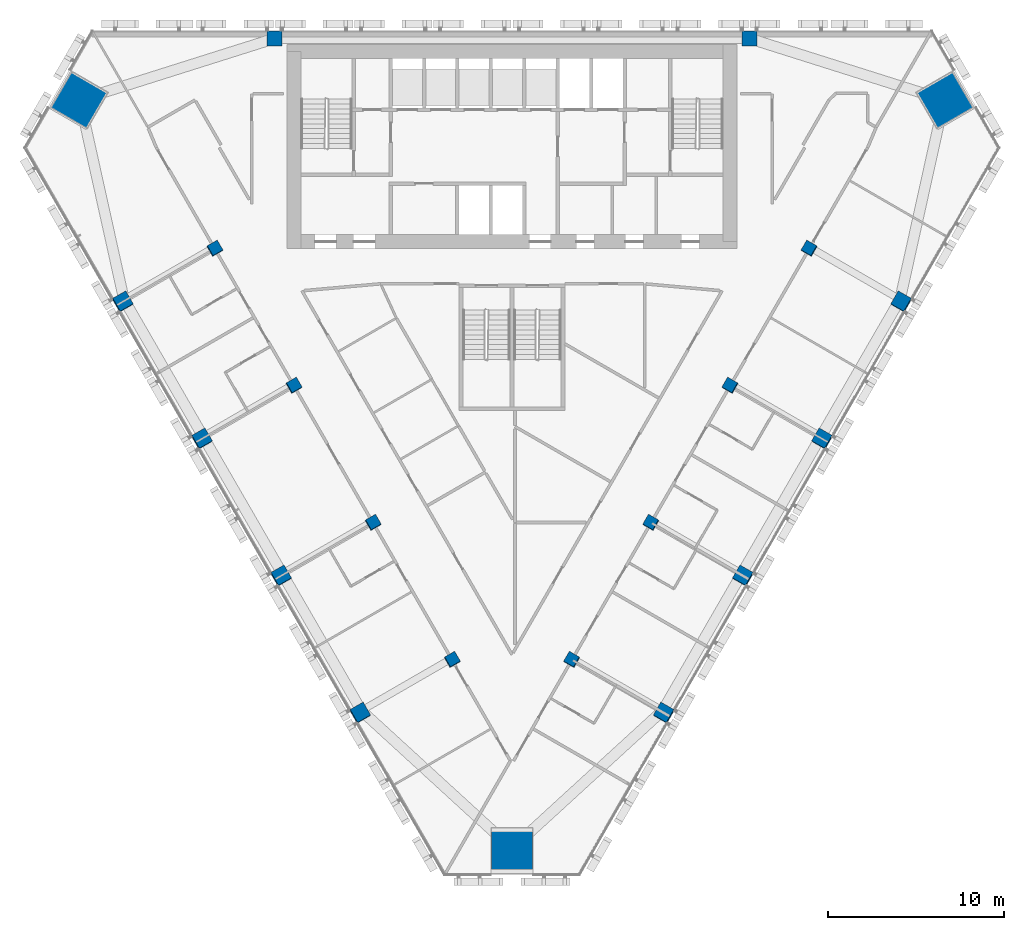
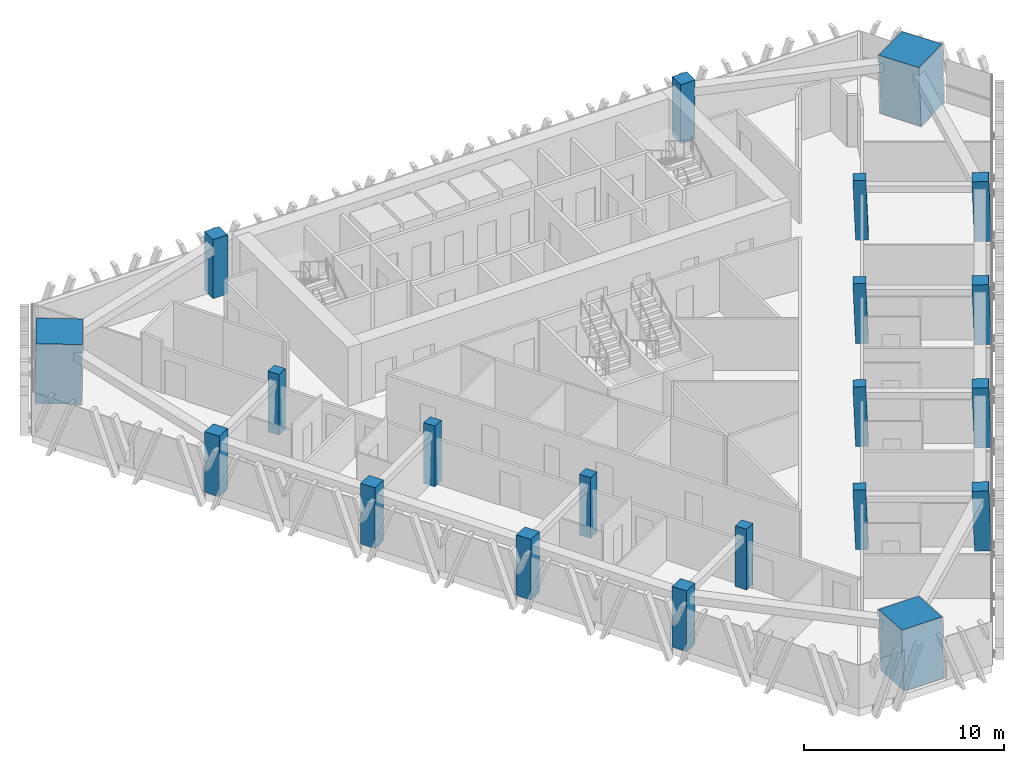
# One storey, part 1 of 16: 21 columns.
"""IFC4 building model written with IfcOpenShell, lengths in metres."""

from ifc_helpers import new_model, si_unit, direction, frame, origin, origin_2d, place, context, subcontext, project, spatial, rectangle, extrude, material, material_profile, profile_set, type_object, element, save


model = new_model("IFC4")

# Units and contexts
model_context = context("Model", 3, precision=1e-05, world=origin(), true_north=direction((0.0, 1.0)))
body_context = subcontext(model_context, "Body", "Model", "MODEL_VIEW")
ifc_project = project(units=[si_unit("LENGTHUNIT", "METRE"), si_unit("AREAUNIT", "SQUARE_METRE"), si_unit("VOLUMEUNIT", "CUBIC_METRE"), si_unit("PLANEANGLEUNIT", "RADIAN"), si_unit("MASSUNIT", "GRAM", prefix="KILO")], contexts=[model_context])

# Site, building, storey
site_placement = place(None, origin())
site = spatial("IfcSite", under=ifc_project, at=site_placement, CompositionType="ELEMENT")
building_placement = place(site_placement, origin())
building = spatial("IfcBuilding", under=site, at=building_placement, Name="Altiplano Prism Tower", CompositionType="ELEMENT")
storey_placement = place(building_placement, frame((0.0, 0.0, 135.0)))
storey = spatial("IfcBuildingStorey", under=building, at=storey_placement, Name="L34", CompositionType="ELEMENT", Elevation=135.0)

# Columns
ifc_material_1 = material(Name="Concrete C60/75", Category="concrete")
ifc_material_profile_1 = material_profile(ifc_material_1, rectangle(XDim=0.64990234375, YDim=0.64990234375, at=origin_2d()), Name="Inner column 650")
ifc_profile_set_1 = profile_set([ifc_material_profile_1], Name="Concrete C60/75")
column_type_1 = type_object("IfcColumnType", Name="Inner column 650", PredefinedType="COLUMN", material=ifc_profile_set_1)
for number, where, z_axis, x_axis, name in (
    (1, (68.091796875, 92.596923828125, -0.019775390625), (0.02222134892, 0.038480872521, 0.999012229206), (-0.865640972658, -0.499184117772, 0.038482762642), "Inner column I11 L34"),
    (2, (72.591796875, 84.802734375, -0.019775390625), (0.02222134892, 0.038480872521, 0.999012229206), (-0.865639410047, -0.499186822153, 0.038482832055), "Inner column I12 L34"),
    (3, (77.091796875, 77.008544921875, -0.019775390625), (0.022221406801, 0.038413224561, 0.999014831351), (-0.866021380218, -0.498527772566, 0.0384321348), "Inner column I13 L34"),
    (4, (81.591796875, 69.21435546875, -0.019775390625), (0.022221406801, 0.038413224561, 0.999014831351), (-0.866019828384, -0.498530463023, 0.038432203733), "Inner column I14 L34"),
    (5, (88.408203125, 69.21435546875, -0.019775390625), (-0.022221406801, 0.038413224561, 0.999014831351), (-0.499515631313, -0.866020670433, 0.022188565921), "Inner column I21 L34"),
    (6, (92.908203125, 77.008544921875, -0.019775390625), (-0.022221406801, 0.038413224561, 0.999014831351), (-0.499512940858, -0.866022219206, 0.022188685317), "Inner column I22 L34"),
    (7, (97.408203125, 84.802734375, -0.019775390625), (-0.02222134892, 0.038480872521, 0.999012229206), (-0.500174592943, -0.865639497158, 0.022217955235), "Inner column I23 L34"),
    (8, (101.908203125, 92.596923828125, -0.019775390625), (-0.02222134892, 0.038480872521, 0.999012229206), (-0.500171888563, -0.865641056683, 0.022218075461), "Inner column I24 L34"),
):
    element("IfcColumn", number, at=place(storey_placement, frame(where, z_axis=z_axis, x_axis=x_axis)), inside=storey, type_object=column_type_1, Name=name, PredefinedType="COLUMN", context=body_context, shape_type="SweptSolid", body=[
        extrude(rectangle(XDim=0.64990234375, YDim=0.64990234375, at=origin_2d()), origin(), (0.0, 0.0, 1.0), 3.603759765625),
    ])
ifc_material_2 = material(Name="Concrete C70/85", Category="concrete")
ifc_material_profile_2 = material_profile(ifc_material_2, rectangle(XDim=2.320068359375, YDim=2.320068359375, at=origin_2d()), Name="Mega column infill 2400")
ifc_profile_set_2 = profile_set([ifc_material_profile_2], Name="Concrete C70/85")
column_type_2 = type_object("IfcColumnType", Name="Mega column infill 2400", PredefinedType="COLUMN", material=ifc_profile_set_2)
column_1_placement = place(storey_placement, frame((60.3203125, 101.019775390625, 0.0), z_axis=(0.028401814599, 0.009218727412, 0.999554076572), x_axis=(-0.865127429794, 0.501154791875, 0.019960080116)))
element("IfcColumn", 9, at=column_1_placement, inside=storey, type_object=column_type_2, Name="Mega column M0 L34", PredefinedType="COLUMN", context=body_context, shape_type="SweptSolid", body=[
    extrude(rectangle(XDim=2.320068359375, YDim=2.320068359375, at=origin_2d()), origin(), (0.0, 0.0, 1.0), 3.601806640625),
])
column_2_placement = place(storey_placement, frame((85.0, 58.273193359375, 0.0), z_axis=(0.0, 0.058356907999, 0.998295783467), x_axis=(-1.0, 0.0, 0.0)))
element("IfcColumn", 10, at=column_2_placement, inside=storey, type_object=column_type_2, Name="Mega column M1 L34", PredefinedType="COLUMN", context=body_context, shape_type="SweptSolid", body=[
    extrude(rectangle(XDim=2.320068359375, YDim=2.320068359375, at=origin_2d()), origin(), (0.0, 0.0, 1.0), 3.606201171875),
])
column_3_placement = place(storey_placement, frame((109.6796875, 101.019775390625, 0.0), z_axis=(-0.028401814599, 0.009218727412, 0.999554076572), x_axis=(0.500749800061, -0.865307108475, 0.022209136917)))
element("IfcColumn", 11, at=column_3_placement, inside=storey, type_object=column_type_2, Name="Mega column M2 L34", PredefinedType="COLUMN", context=body_context, shape_type="SweptSolid", body=[
    extrude(rectangle(XDim=2.320068359375, YDim=2.320068359375, at=origin_2d()), origin(), (0.0, 0.0, 1.0), 3.601806640625),
])
ifc_material_profile_3 = material_profile(ifc_material_1, rectangle(XDim=0.85009765625, YDim=0.85009765625, at=origin_2d()), Name="Perimeter column 850")
ifc_profile_set_3 = profile_set([ifc_material_profile_3], Name="Concrete C60/75")
column_type_3 = type_object("IfcColumnType", Name="Perimeter column 850", PredefinedType="COLUMN", material=ifc_profile_set_3)
for number, where, z_axis, x_axis, name in (
    (12, (98.5, 104.550048828125, 0.0), (0.0, 0.0, 1.0), (1.0, 0.0, 0.0), "Perimeter column P01 L34"),
    (13, (71.5, 104.550048828125, 0.0), (0.0, 0.0, 1.0), (1.0, 0.0, 0.0), "Perimeter column P04 L34"),
):
    element("IfcColumn", number, at=place(storey_placement, frame(where, z_axis=z_axis, x_axis=x_axis)), inside=storey, type_object=column_type_3, Name=name, PredefinedType="COLUMN", context=body_context, shape_type="SweptSolid", body=[
        extrude(rectangle(XDim=0.85009765625, YDim=0.85009765625, at=origin_2d()), origin(), (0.0, 0.0, 1.0), 3.60009765625),
    ])
for number, where, z_axis, x_axis, name in (
    (14, (62.852294921875, 89.57177734375, -0.02587890625), (0.022221406801, 0.038413224561, 0.999014831351), (-0.866020255575, -0.498529722392, 0.038432184757), "Perimeter column P11 L34"),
    (15, (67.352294921875, 81.777587890625, -0.02587890625), (0.022221406801, 0.038413224561, 0.999014831351), (-0.866018703735, -0.498532412846, 0.03843225369), "Perimeter column P12 L34"),
    (16, (71.852294921875, 73.9833984375, -0.02587890625), (0.022221406801, 0.038413224561, 0.999014831351), (-0.866021388936, -0.498527757451, 0.038432134412), "Perimeter column P13 L34"),
    (17, (76.352294921875, 66.18896484375, -0.02587890625), (0.02222134892, 0.038480872521, 0.999012229206), (-0.865637864887, -0.499189496312, 0.038482900691), "Perimeter column P14 L34"),
    (18, (93.647705078125, 66.18896484375, -0.02587890625), (-0.02222134892, 0.038480872521, 0.999012229206), (-0.500177267103, -0.865637955049, 0.022217836353), "Perimeter column P21 L34"),
    (19, (98.147705078125, 73.9833984375, -0.02587890625), (-0.022221406801, 0.038413224561, 0.999014831351), (-0.499512925744, -0.866022227907, 0.022188685988), "Perimeter column P22 L34"),
    (20, (102.647705078125, 81.777587890625, -0.02587890625), (-0.022221406801, 0.038413224561, 0.999014831351), (-0.499517581133, -0.866019548002, 0.022188479391), "Perimeter column P23 L34"),
    (21, (107.147705078125, 89.57177734375, -0.02587890625), (-0.022221406801, 0.038413224561, 0.999014831351), (-0.499514890682, -0.866021096781, 0.022188598788), "Perimeter column P24 L34"),
):
    element("IfcColumn", number, at=place(storey_placement, frame(where, z_axis=z_axis, x_axis=x_axis)), inside=storey, type_object=column_type_3, Name=name, PredefinedType="COLUMN", context=body_context, shape_type="SweptSolid", body=[
        extrude(rectangle(XDim=0.85009765625, YDim=0.85009765625, at=origin_2d()), origin(), (0.0, 0.0, 1.0), 3.603759765625),
    ])

save(model, "model.ifc")
